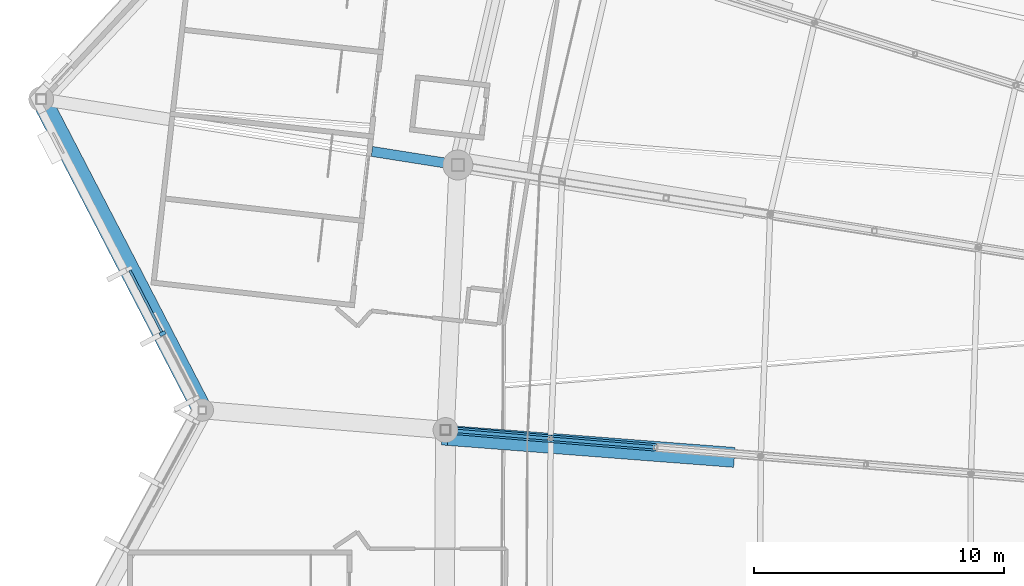
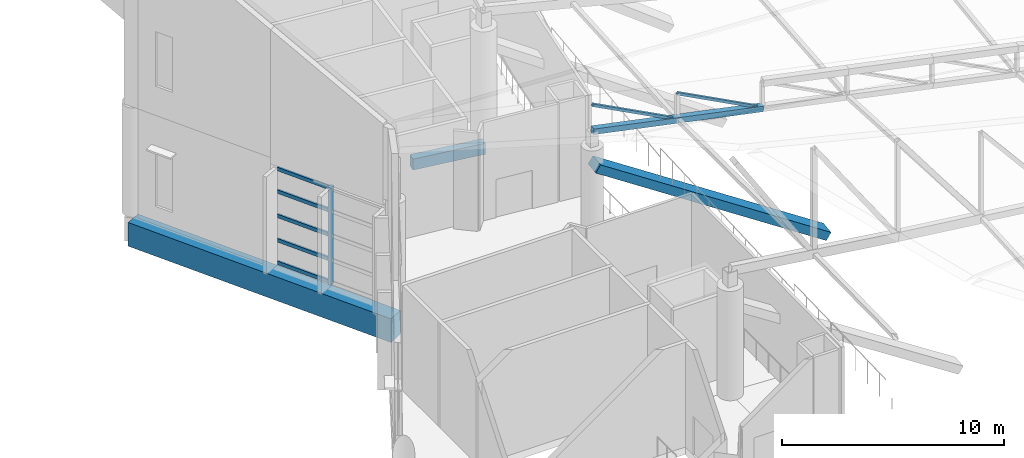
# One storey, part 120 of 344: 10 members, 3 beams, 1 element without a shape of its own.
"""IFC4 building model written with IfcOpenShell, lengths in metres."""

from ifc_helpers import new_model, si_unit, direction, frame, origin, origin_2d, place, context, subcontext, project, spatial, rectangle, hollow_rectangle, extrude, material, layer, layer_set, material_profile, profile_set, type_object, element, aggregate, save


model = new_model("IFC4")

# Units and contexts
model_context = context("Model", 3, precision=1e-05, world=origin(), true_north=direction((0.0, 1.0)))
body_context = subcontext(model_context, "Body", "Model", "MODEL_VIEW")
ifc_project = project(units=[si_unit("LENGTHUNIT", "METRE"), si_unit("AREAUNIT", "SQUARE_METRE"), si_unit("VOLUMEUNIT", "CUBIC_METRE"), si_unit("PLANEANGLEUNIT", "RADIAN"), si_unit("MASSUNIT", "GRAM", prefix="KILO")], contexts=[model_context])

# Site, building, storey
site_placement = place(None, origin())
site = spatial("IfcSite", under=ifc_project, at=site_placement, CompositionType="ELEMENT")
building_placement = place(site_placement, origin())
building = spatial("IfcBuilding", under=site, at=building_placement, Name="Meseta Stadium", CompositionType="ELEMENT")
storey_placement = place(building_placement, frame((0.0, 0.0, 24.0)))
storey = spatial("IfcBuildingStorey", under=building, at=storey_placement, Name="L04", CompositionType="ELEMENT", Elevation=24.0)

# Curtain wall, members
ifc_material_1 = material(Name="Steel S355", Category="steel")
ifc_layer = layer(ifc_material_1, 0.300048828125)
ifc_layer_set = layer_set([ifc_layer], Name="Valley atrium curtain wall")
curtain_wall_type = type_object("IfcCurtainWallType", Name="Valley atrium curtain wall", PredefinedType="NOTDEFINED", material=ifc_layer_set)
curtain_wall_placement = place(storey_placement, origin())
curtain_wall = element("IfcCurtainWall", 1, at=curtain_wall_placement, inside=storey, type_object=curtain_wall_type, Name="Valley atrium glazing F28", PredefinedType="NOTDEFINED")
ifc_material_2 = material(Name="Steel S355", Category="steel")
ifc_material_profile_1 = material_profile(ifc_material_2, rectangle(XDim=0.25, YDim=0.14990234375, at=origin_2d()), Name="CW 250x150")
ifc_profile_set_1 = profile_set([ifc_material_profile_1], Name="Steel S355")
member_type_1 = type_object("IfcMemberType", Name="CW mullion bar 250x150", PredefinedType="MULLION", material=ifc_profile_set_1)
member_1_placement = place(storey_placement, frame((-96.18701171875, 46.81298828125, 0.0), z_axis=(0.0, 0.0, 1.0), x_axis=(0.887910877066, 0.460015515377, 0.0)))
member_1 = element("IfcMember", 2, at=member_1_placement, type_object=member_type_1, Name="CWA mullion 2", PredefinedType="MULLION", context=body_context, shape_type="SweptSolid", body=[
    extrude(rectangle(XDim=0.25, YDim=0.14990234375, at=origin_2d()), origin(), (0.0, 0.0, 1.0), 5.35009765625),
])
ifc_material_3 = material(Name="Steel S355", Category="steel")
ifc_material_profile_2 = material_profile(ifc_material_3, hollow_rectangle(XDim=0.10009765625, YDim=0.199951171875, WallThickness=0.008056640625, at=origin_2d()), Name="RHS 200x100x8")
ifc_profile_set_2 = profile_set([ifc_material_profile_2], Name="Steel S355")
member_type_2 = type_object("IfcMemberType", Name="CW transom RHS 200x100x8", PredefinedType="USERDEFINED", material=ifc_profile_set_2)
member_2_placement = place(storey_placement, frame((-97.498046875, 49.343505859375, 0.10009765625), z_axis=(0.460047496365, -0.887894307386, 0.0), x_axis=(0.887894307386, 0.460047496365, 0.0)))
member_2 = element("IfcMember", 3, at=member_2_placement, type_object=member_type_2, Name="CWA transom 1.1", ObjectType="TRANSOM", PredefinedType="USERDEFINED", context=body_context, shape_type="SweptSolid", body=[
    extrude(hollow_rectangle(XDim=0.10009765625, YDim=0.199951171875, WallThickness=0.008056640625, at=origin_2d()), origin(), (0.0, 0.0, 1.0), 2.77490234375),
])
member_3_placement = place(storey_placement, frame((-97.498046875, 49.343505859375, 1.33740234375), z_axis=(0.460047496365, -0.887894307386, 0.0), x_axis=(0.887894307386, 0.460047496365, 0.0)))
member_3 = element("IfcMember", 4, at=member_3_placement, type_object=member_type_2, Name="CWA transom 1.2", ObjectType="TRANSOM", PredefinedType="USERDEFINED", context=body_context, shape_type="SweptSolid", body=[
    extrude(hollow_rectangle(XDim=0.10009765625, YDim=0.199951171875, WallThickness=0.008056640625, at=origin_2d()), origin(), (0.0, 0.0, 1.0), 2.77490234375),
])
member_4_placement = place(storey_placement, frame((-97.498046875, 49.343505859375, 2.675048828125), z_axis=(0.460047496365, -0.887894307386, 0.0), x_axis=(0.887894307386, 0.460047496365, 0.0)))
member_4 = element("IfcMember", 5, at=member_4_placement, type_object=member_type_2, Name="CWA transom 1.3", ObjectType="TRANSOM", PredefinedType="USERDEFINED", context=body_context, shape_type="SweptSolid", body=[
    extrude(hollow_rectangle(XDim=0.10009765625, YDim=0.199951171875, WallThickness=0.008056640625, at=origin_2d()), origin(), (0.0, 0.0, 1.0), 2.77490234375),
])
member_5_placement = place(storey_placement, frame((-97.498046875, 49.343505859375, 4.012451171875), z_axis=(0.460047496365, -0.887894307386, 0.0), x_axis=(0.887894307386, 0.460047496365, 0.0)))
member_5 = element("IfcMember", 6, at=member_5_placement, type_object=member_type_2, Name="CWA transom 1.4", ObjectType="TRANSOM", PredefinedType="USERDEFINED", context=body_context, shape_type="SweptSolid", body=[
    extrude(hollow_rectangle(XDim=0.10009765625, YDim=0.199951171875, WallThickness=0.008056640625, at=origin_2d()), origin(), (0.0, 0.0, 1.0), 2.77490234375),
])
member_6_placement = place(storey_placement, frame((-97.498046875, 49.343505859375, 5.25), z_axis=(0.460047496365, -0.887894307386, 0.0), x_axis=(0.887894307386, 0.460047496365, 0.0)))
member_6 = element("IfcMember", 7, at=member_6_placement, type_object=member_type_2, Name="CWA transom 1.5", ObjectType="TRANSOM", PredefinedType="USERDEFINED", context=body_context, shape_type="SweptSolid", body=[
    extrude(hollow_rectangle(XDim=0.10009765625, YDim=0.199951171875, WallThickness=0.008056640625, at=origin_2d()), origin(), (0.0, 0.0, 1.0), 2.77490234375),
])
aggregate(curtain_wall, [member_1, member_2, member_3, member_4, member_5, member_6])

# Beams
ifc_material_4 = material(Name="Concrete C40/50", Category="concrete")
ifc_material_profile_3 = material_profile(ifc_material_4, rectangle(XDim=0.39990234375, YDim=0.60009765625, at=origin_2d()), Name="RC 400x600")
ifc_profile_set_3 = profile_set([ifc_material_profile_3], Name="Concrete C40/50")
beam_type_1 = type_object("IfcBeamType", Name="RC beam 400x600", PredefinedType="BEAM", material=ifc_profile_set_3)
beam_1_placement = place(storey_placement, frame((-84.36328125, 53.5654296875, -0.699951171875), z_axis=(-0.987745905014, 0.156070583799, 0.0), x_axis=(-0.156070583799, -0.987745905014, 0.0)))
element("IfcBeam", 8, at=beam_1_placement, inside=storey, type_object=beam_type_1, Name="L04 radial beam frame 28 line P to R", PredefinedType="BEAM", context=body_context, shape_type="SweptSolid", body=[
    extrude(rectangle(XDim=0.39990234375, YDim=0.60009765625, at=origin_2d()), origin(), (0.0, 0.0, 1.0), 3.482177734375),
])
ifc_material_5 = material(Name="Concrete C40/50", Category="concrete")
ifc_material_profile_4 = material_profile(ifc_material_5, rectangle(XDim=0.800048828125, YDim=1.300048828125, at=origin_2d()), Name="RC 800x1300")
ifc_profile_set_4 = profile_set([ifc_material_profile_4], Name="Concrete C40/50")
beam_type_2 = type_object("IfcBeamType", Name="RC beam 800x1300", PredefinedType="BEAM", material=ifc_profile_set_4)
beam_2_placement = place(storey_placement, frame((-101.0517578125, 56.202880859375, -1.050048828125), z_axis=(0.460014301189, -0.887911506121, 0.0), x_axis=(0.887911506121, 0.460014301189, 0.0)))
element("IfcBeam", 9, at=beam_2_placement, inside=storey, type_object=beam_type_2, Name="L04 ring beam frame 28 line R", PredefinedType="BEAM", context=body_context, shape_type="SweptSolid", body=[
    extrude(rectangle(XDim=0.800048828125, YDim=1.300048828125, at=origin_2d()), origin(), (0.0, 0.0, 1.0), 14.02490234375),
])
ifc_material_6 = material(Name="Concrete C40/50", Category="concrete")
ifc_material_profile_5 = material_profile(ifc_material_6, rectangle(XDim=0.800048828125, YDim=0.449951171875, at=origin_2d()), Name="RC 800x450")
ifc_profile_set_5 = profile_set([ifc_material_profile_5], Name="Concrete C40/50")
beam_type_3 = type_object("IfcBeamType", Name="RC raker upper rear 800x450", PredefinedType="USERDEFINED", material=ifc_profile_set_5)
beam_3_placement = place(storey_placement, frame((-73.40478515625, 41.8623046875, -2.135498046875), z_axis=(-0.845529088137, 0.06488282659, 0.529972433177), x_axis=(-0.076511425531, -0.997068704635, 0.0)))
element("IfcBeam", 10, at=beam_3_placement, inside=storey, type_object=beam_type_3, Name="Raker upper rear frame 29 upper tier", ObjectType="RAKER", PredefinedType="USERDEFINED", context=body_context, shape_type="SweptSolid", body=[
    extrude(rectangle(XDim=0.800048828125, YDim=0.449951171875, at=origin_2d()), origin(), (0.0, 0.0, 1.0), 13.56103515625),
])

# Members
ifc_material_7 = material(Name="Steel S355", Category="steel")
ifc_material_profile_6 = material_profile(ifc_material_7, hollow_rectangle(XDim=0.139892578125, YDim=0.139892578125, WallThickness=0.0048828125, at=origin_2d()), Name="SHS 140x140x5")
ifc_profile_set_6 = profile_set([ifc_material_profile_6], Name="Steel S355")
member_type_3 = type_object("IfcMemberType", Name="SHS 140x140x5 diagonal", PredefinedType="BRACE", material=ifc_profile_set_6)
for number, where, z_axis, x_axis, name in (
    (11, (-76.43798828125, 42.25634765625, 5.532958984375), (-0.89741657431, 0.073830163749, 0.434962755963), (-0.081992660671, -0.996632933229, 0.0), "ROOF TRUSS RT-29 diagonal"),
    (12, (-80.64599609375, 42.6025390625, 6.16650390625), (-0.897440346301, 0.073780051677, 0.434922210063), (-0.081935226242, -0.996637656674, 0.0), "ROOF TRUSS RT-29 diagonal"),
):
    element("IfcMember", number, at=place(storey_placement, frame(where, z_axis=z_axis, x_axis=x_axis)), inside=storey, type_object=member_type_3, Name=name, PredefinedType="BRACE", context=body_context, shape_type="SweptSolid", body=[
        extrude(hollow_rectangle(XDim=0.139892578125, YDim=0.139892578125, WallThickness=0.0048828125, at=origin_2d()), origin(), (0.0, 0.0, 1.0), 4.68896484375),
    ])
ifc_material_8 = material(Name="Steel S355", Category="steel")
ifc_material_profile_7 = material_profile(ifc_material_8, hollow_rectangle(XDim=0.300048828125, YDim=0.300048828125, WallThickness=0.010009765625, at=origin_2d()), Name="SHS 300x300x10")
ifc_profile_set_7 = profile_set([ifc_material_profile_7], Name="Steel S355")
member_type_4 = type_object("IfcMemberType", Name="SHS 300x300x10 bottom chord", PredefinedType="CHORD", material=ifc_profile_set_7)
for number, where, z_axis, x_axis, name in (
    (13, (-76.43798828125, 42.25634765625, 5.532958984375), (-0.98559930207, 0.081084927497, 0.148388848275), (-0.081992660671, -0.996632933229, 0.0), "ROOF TRUSS RT-29 bottom chord"),
    (14, (-80.64599609375, 42.6025390625, 6.16650390625), (-0.985603870366, 0.081028120464, 0.148389536064), (-0.081935226242, -0.996637656674, 0.0), "ROOF TRUSS RT-29 bottom chord"),
):
    element("IfcMember", number, at=place(storey_placement, frame(where, z_axis=z_axis, x_axis=x_axis)), inside=storey, type_object=member_type_4, Name=name, PredefinedType="CHORD", context=body_context, shape_type="SweptSolid", body=[
        extrude(hollow_rectangle(XDim=0.300048828125, YDim=0.300048828125, WallThickness=0.010009765625, at=origin_2d()), origin(), (0.0, 0.0, 1.0), 4.26953125),
    ])

save(model, "model.ifc")
